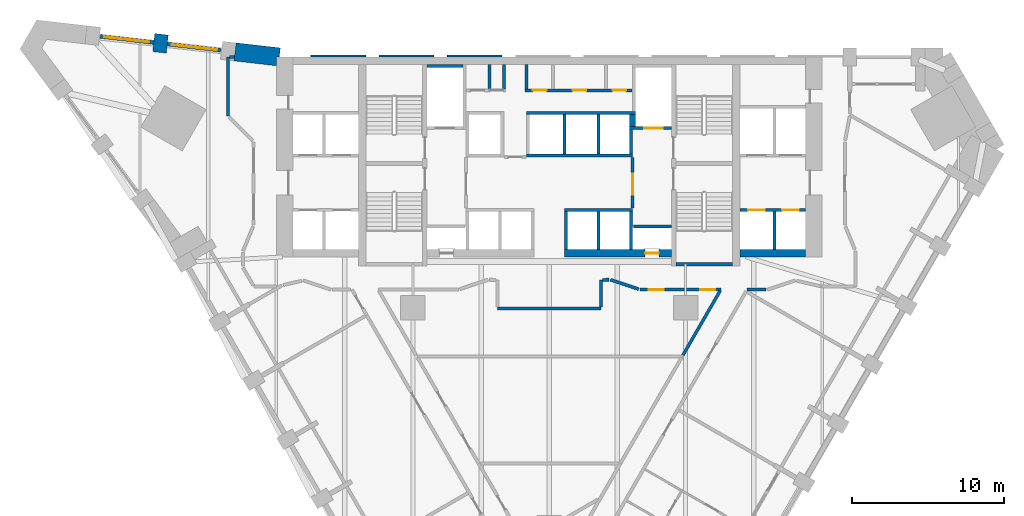
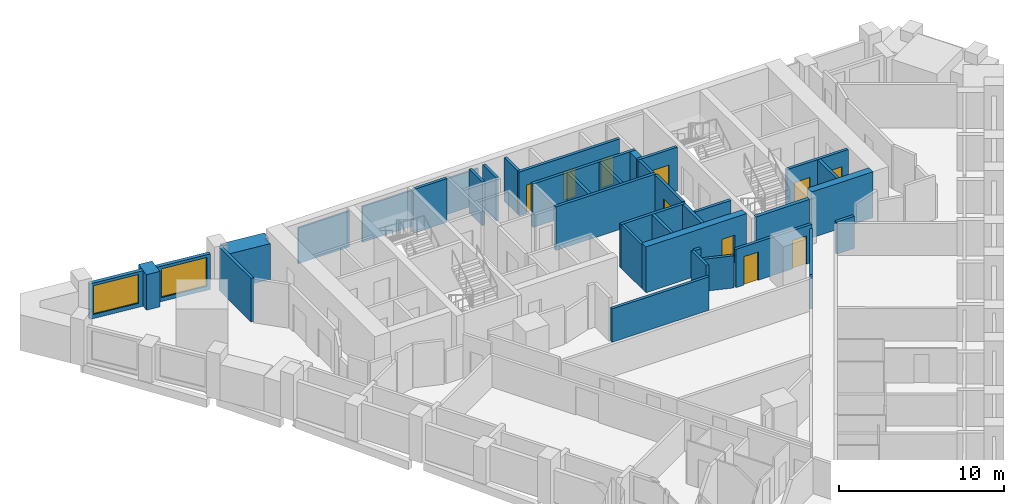
# One storey, part 7 of 10: 39 walls, 10 doors, 2 windows, 12 openings.
"""IFC4 building model written with IfcOpenShell, lengths in metres."""

from ifc_helpers import new_model, si_unit, direction, frame, frame_2d, origin, place, context, subcontext, project, spatial, polyline, rectangle, outline, extrude, material, layer, layer_set, type_object, element, fill, save


model = new_model("IFC4")

# Units and contexts
model_context = context("Model", 3, precision=1e-05, world=origin(), true_north=direction((0.0, 1.0)))
body_context = subcontext(model_context, "Body", "Model", "MODEL_VIEW")
ifc_project = project(units=[si_unit("LENGTHUNIT", "METRE"), si_unit("AREAUNIT", "SQUARE_METRE"), si_unit("VOLUMEUNIT", "CUBIC_METRE"), si_unit("PLANEANGLEUNIT", "RADIAN"), si_unit("MASSUNIT", "GRAM", prefix="KILO")], contexts=[model_context])

# Site, building, storey
site_placement = place(None, origin())
site = spatial("IfcSite", under=ifc_project, at=site_placement, CompositionType="ELEMENT")
building_placement = place(site_placement, origin())
building = spatial("IfcBuilding", under=site, at=building_placement, Name="Calabash Gate Tower", CompositionType="ELEMENT")
storey_placement = place(building_placement, frame((0.0, 0.0, 69.800048828125)))
storey = spatial("IfcBuildingStorey", under=building, at=storey_placement, Name="L13", CompositionType="ELEMENT", Elevation=69.800048828125)

# Walls
ifc_material_1 = material(Name="Terracotta brick masonry, exposed face", Category="masonry")
ifc_layer_1 = layer(ifc_material_1, 1.199951171875)
ifc_layer_set_1 = layer_set([ifc_layer_1], Name="Brick end wall 1200")
wall_type_1 = type_object("IfcWallType", Name="Brick end wall 1200", PredefinedType="SOLIDWALL", material=ifc_layer_set_1)
wall_1_placement = place(storey_placement, frame((-25.712890625, 19.35400390625, 0.0), z_axis=(0.0, 0.0, 1.0), x_axis=(0.113735952551, 0.993511013073, 0.0)))
element("IfcWall", 1, at=wall_1_placement, inside=storey, type_object=wall_type_1, Name="Brick pier S03 wedge5.1", PredefinedType="SOLIDWALL", context=body_context, shape_type="SweptSolid", body=[
    extrude(rectangle(XDim=1.199951171875, YDim=0.89990234375, at=frame_2d((0.60009765625, 0.0))), origin(), (0.0, 0.0, 1.0), 2.6298828125),
])
wall_2_placement = place(storey_placement, origin())
element("IfcWall", 2, at=wall_2_placement, inside=storey, type_object=wall_type_1, Name="Brick end wall S03 1", PredefinedType="SOLIDWALL", context=body_context, shape_type="SweptSolid", body=[
    extrude(outline(polyline([(-20.658447265625, 19.983154296875), (-20.794921875, 18.790771484375), (-18.0, 18.470703125), (-18.0, 19.052490234375), (-17.806640625, 19.052490234375), (-17.738525390625, 19.648681640625), (-20.658447265625, 19.983154296875)])), origin(), (0.0, 0.0, 1.0), 2.64990234375),
])
ifc_material_2 = material(Name="Gypsum board on steel studs, mineral wool", Category="steel")
ifc_layer_2 = layer(ifc_material_2, 0.199951171875)
ifc_layer_set_2 = layer_set([ifc_layer_2], Name="Core partition 200 gypsum board")
wall_type_2 = type_object("IfcWallType", Name="Core partition 200 gypsum board", PredefinedType="PARTITIONING", material=ifc_layer_set_2)
for number, where, z_axis, x_axis, name in (
    (3, (-3.949951171875, 16.95263671875, 0.0), (0.0, 0.0, 1.0), (0.0, 1.0, 0.0), "Core partition"),
    (4, (-3.0, 16.95263671875, 0.0), (0.0, 0.0, 1.0), (0.0, 1.0, 0.0), "Core partition"),
    (5, (-1.5, 16.95263671875, 0.0), (0.0, 0.0, 1.0), (0.0, 1.0, 0.0), "Core partition"),
):
    element("IfcWall", number, at=place(storey_placement, frame(where, z_axis=z_axis, x_axis=x_axis)), inside=storey, type_object=wall_type_2, Name=name, PredefinedType="PARTITIONING", context=body_context, shape_type="SweptSolid", body=[
        extrude(rectangle(XDim=1.599853515625, YDim=0.199951171875, at=frame_2d((0.7998046875, 0.0))), origin(), (0.0, 0.0, 1.0), 3.22998046875),
    ])
ifc_material_3 = material(Name="Concrete C80/95", Category="concrete")
ifc_layer_3 = layer(ifc_material_3, 0.25)
ifc_layer_set_3 = layer_set([ifc_layer_3], Name="Core wall 250 Concrete C80/95")
wall_type_3 = type_object("IfcWallType", Name="Core wall 250 Concrete C80/95", PredefinedType="SHEAR", material=ifc_layer_set_3)
wall_3_placement = place(storey_placement, frame((8.35009765625, 5.377685546875, 0.0), z_axis=(0.0, 0.0, 1.0), x_axis=(1.0, 0.0, 0.0)))
element("IfcWall", 6, at=wall_3_placement, inside=storey, type_object=wall_type_3, Name="Core wall Z1-SSE L13", PredefinedType="SHEAR", context=body_context, shape_type="SweptSolid", body=[
    extrude(rectangle(XDim=3.75, YDim=0.25, at=frame_2d((1.875, 0.0))), origin(), (0.0, 0.0, 1.0), 3.39990234375),
])

# Wall, opening, door
ifc_material_4 = material(Name="Concrete C80/95", Category="concrete")
ifc_layer_4 = layer(ifc_material_4, 0.5)
ifc_layer_set_4 = layer_set([ifc_layer_4], Name="Core wall 500 Concrete C80/95")
wall_type_4 = type_object("IfcWallType", Name="Core wall 500 Concrete C80/95", PredefinedType="SHEAR", material=ifc_layer_set_4)
wall_4_placement = place(storey_placement, frame((1.0, 6.1025390625, 0.0), z_axis=(0.0, 0.0, 1.0), x_axis=(1.0, 0.0, 0.0)))
wall_4 = element("IfcWall", 7, at=wall_4_placement, inside=storey, type_object=wall_type_4, Name="Core wall Z1-SB L13", PredefinedType="SHEAR", context=body_context, shape_type="SweptSolid", body=[
    extrude(rectangle(XDim=7.050048828125, YDim=0.5, at=frame_2d((3.52490234375, 0.0))), origin(), (0.0, 0.0, 1.0), 3.39990234375),
])
opening_1_placement = place(wall_4_placement, frame((5.324951171875, 0.0, 0.0)))
opening_1 = element("IfcOpeningElement", 8, at=opening_1_placement, cuts=wall_4, Name="Opening H3-013", PredefinedType="OPENING", context=body_context, shape_type="SweptSolid", body=[
    extrude(rectangle(XDim=0.89990234375, YDim=2.10009765625, at=frame_2d((0.449951171875, 1.050048828125))), frame((0.0, 0.260009765625, 0.0), z_axis=(0.0, -1.0, 0.0), x_axis=(1.0, 0.0, 0.0)), (0.0, 0.0, 1.0), 0.52001953125),
])
ifc_material_5 = material(Name="Steel fire door set with fire-resisting glazing", Category="steel")
door_type_1 = type_object("IfcDoorType", Name="Fire door D07 900x2100 FD90", OperationType="NOTDEFINED", PredefinedType="DOOR", material=ifc_material_5)
door_1_placement = place(opening_1_placement, origin())
door_1 = element("IfcDoor", 9, at=door_1_placement, inside=storey, type_object=door_type_1, Name="Mechanical Riser E door", OperationType="SINGLE_SWING_RIGHT", OverallHeight=2.10009765625, OverallWidth=0.89990234375, PredefinedType="DOOR", context=body_context, shape_type="SweptSolid", body=[
    extrude(rectangle(XDim=0.89990234375, YDim=2.10009765625, at=frame_2d((0.449951171875, 1.050048828125))), frame((0.0, 0.02490234375, 0.0), z_axis=(0.0, -1.0, 0.0), x_axis=(1.0, 0.0, 0.0)), (0.0, 0.0, 1.0), 0.050048828125),
])
fill(opening_1, door_1)

# Walls
wall_5_placement = place(storey_placement, frame((12.60009765625, 6.1025390625, 0.0), z_axis=(0.0, 0.0, 1.0), x_axis=(1.0, 0.0, 0.0)))
element("IfcWall", 10, at=wall_5_placement, inside=storey, type_object=wall_type_4, Name="Core wall Z1-SE L13", PredefinedType="SHEAR", context=body_context, shape_type="SweptSolid", body=[
    extrude(rectangle(XDim=4.2998046875, YDim=0.5, at=frame_2d((2.14990234375, 0.0))), origin(), (0.0, 0.0, 1.0), 3.39990234375),
])
ifc_material_6 = material(Name="Gypsum board on steel studs, mineral wool", Category="steel")
ifc_layer_5 = layer(ifc_material_6, 0.199951171875)
ifc_layer_set_5 = layer_set([ifc_layer_5], Name="Partition 200 gypsum board EI 60")
wall_type_5 = type_object("IfcWallType", Name="Partition 200 gypsum board EI 60", PredefinedType="PARTITIONING", material=ifc_layer_set_5)
wall_6_placement = place(storey_placement, frame((8.824462890625, -0.616943359375, 0.0), z_axis=(0.0, 0.0, 1.0), x_axis=(0.500271769931, 0.865868440475, 0.0)))
element("IfcWall", 11, at=wall_6_placement, inside=storey, type_object=wall_type_5, Name="Partition", PredefinedType="PARTITIONING", context=body_context, shape_type="SweptSolid", body=[
    extrude(rectangle(XDim=4.885498046875, YDim=0.199951171875, at=frame_2d((2.44287109375, 0.0))), origin(), (0.0, 0.0, 1.0), 2.5517578125),
])
wall_7_placement = place(storey_placement, frame((-3.400146484375, 2.452392578125, 0.0), z_axis=(0.0, 0.0, 1.0), x_axis=(1.0, 0.0, 0.0)))
element("IfcWall", 12, at=wall_7_placement, inside=storey, type_object=wall_type_5, Name="Partition", PredefinedType="PARTITIONING", context=body_context, shape_type="SweptSolid", body=[
    extrude(rectangle(XDim=6.800048828125, YDim=0.199951171875, at=frame_2d((3.39990234375, 0.0))), origin(), (0.0, 0.0, 1.0), 2.473388671875),
])

# Wall, openings, doors
wall_8_placement = place(storey_placement, frame((6.0, 3.69970703125, 0.0), z_axis=(0.0, 0.0, 1.0), x_axis=(1.0, 0.0, 0.0)))
wall_8 = element("IfcWall", 13, at=wall_8_placement, inside=storey, type_object=wall_type_5, Name="Partition", PredefinedType="PARTITIONING", context=body_context, shape_type="SweptSolid", body=[
    extrude(rectangle(XDim=5.318603515625, YDim=0.199951171875, at=frame_2d((2.6591796875, 0.0))), origin(), (0.0, 0.0, 1.0), 2.83154296875),
])
opening_2_placement = place(wall_8_placement, frame((0.563720703125, 0.0, 0.0)))
opening_2 = element("IfcOpeningElement", 14, at=opening_2_placement, cuts=wall_8, Name="Opening 12-14-010", PredefinedType="OPENING", context=body_context, shape_type="SweptSolid", body=[
    extrude(rectangle(XDim=1.0, YDim=2.10009765625, at=frame_2d((0.5, 1.050048828125))), frame((0.0, 0.10986328125, 0.0), z_axis=(0.0, -1.0, 0.0), x_axis=(1.0, 0.0, 0.0)), (0.0, 0.0, 1.0), 0.219970703125),
])
opening_3_placement = place(wall_8_placement, frame((3.949951171875, 0.0, 0.0)))
opening_3 = element("IfcOpeningElement", 15, at=opening_3_placement, cuts=wall_8, Name="Opening 12-14-025", PredefinedType="OPENING", context=body_context, shape_type="SweptSolid", body=[
    extrude(rectangle(XDim=1.0, YDim=2.10009765625, at=frame_2d((0.5, 1.050048828125))), frame((0.0, 0.10986328125, 0.0), z_axis=(0.0, -1.0, 0.0), x_axis=(1.0, 0.0, 0.0)), (0.0, 0.0, 1.0), 0.219970703125),
])
ifc_material_7 = material(Name="Steel fire door set with fire-resisting glazing", Category="steel")
door_type_2 = type_object("IfcDoorType", Name="LD2 Meeting room door 1000x2100", OperationType="NOTDEFINED", PredefinedType="DOOR", material=ifc_material_7)
door_2_placement = place(opening_2_placement, origin())
door_2 = element("IfcDoor", 16, at=door_2_placement, inside=storey, type_object=door_type_2, Name="Meeting room door", OperationType="SINGLE_SWING_RIGHT", OverallHeight=2.10009765625, OverallWidth=1.0, PredefinedType="DOOR", context=body_context, shape_type="SweptSolid", body=[
    extrude(rectangle(XDim=1.0, YDim=2.10009765625, at=frame_2d((0.5, 1.050048828125))), frame((0.0, 0.02490234375, 0.0), z_axis=(0.0, -1.0, 0.0), x_axis=(1.0, 0.0, 0.0)), (0.0, 0.0, 1.0), 0.050048828125),
])
fill(opening_2, door_2)
door_3_placement = place(opening_3_placement, origin())
door_3 = element("IfcDoor", 17, at=door_3_placement, inside=storey, type_object=door_type_2, Name="Meeting room door", OperationType="SINGLE_SWING_LEFT", OverallHeight=2.10009765625, OverallWidth=1.0, PredefinedType="DOOR", context=body_context, shape_type="SweptSolid", body=[
    extrude(rectangle(XDim=1.0, YDim=2.10009765625, at=frame_2d((0.5, 1.050048828125))), frame((0.0, 0.02490234375, 0.0), z_axis=(0.0, -1.0, 0.0), x_axis=(1.0, 0.0, 0.0)), (0.0, 0.0, 1.0), 0.050048828125),
])
fill(opening_3, door_3)

# Walls
wall_9_placement = place(storey_placement, frame((13.051513671875, 3.699462890625, 0.0), z_axis=(0.0, 0.0, 1.0), x_axis=(1.0, 0.0, 0.0)))
element("IfcWall", 18, at=wall_9_placement, inside=storey, type_object=wall_type_5, Name="Partition", PredefinedType="PARTITIONING", context=body_context, shape_type="SweptSolid", body=[
    extrude(rectangle(XDim=1.24853515625, YDim=0.199951171875, at=frame_2d((0.624267578125, 0.0))), origin(), (0.0, 0.0, 1.0), 2.384033203125),
])
wall_10_placement = place(storey_placement, frame((4.042236328125, 4.352294921875, 0.0), z_axis=(0.0, 0.0, 1.0), x_axis=(0.948695731075, -0.316190464499, 0.0)))
element("IfcWall", 19, at=wall_10_placement, inside=storey, type_object=wall_type_5, Name="Partition", PredefinedType="PARTITIONING", context=body_context, shape_type="SweptSolid", body=[
    extrude(rectangle(XDim=1.963623046875, YDim=0.199951171875, at=frame_2d((0.98193359375, 0.0))), origin(), (0.0, 0.0, 1.0), 2.384033203125),
])
wall_11_placement = place(storey_placement, frame((3.400146484375, 2.552490234375, 0.0), z_axis=(0.0, 0.0, 1.0), x_axis=(0.001086217961, 0.999999410065, 0.0)))
element("IfcWall", 20, at=wall_11_placement, inside=storey, type_object=wall_type_5, Name="Partition", PredefinedType="PARTITIONING", context=body_context, shape_type="SweptSolid", body=[
    extrude(rectangle(XDim=1.798095703125, YDim=0.199951171875, at=frame_2d((0.89892578125, 0.0))), origin(), (0.0, 0.0, 1.0), 3.22998046875),
])
wall_12_placement = place(storey_placement, frame((3.501953125, 4.350830078125, 0.0), z_axis=(0.0, 0.0, 1.0), x_axis=(0.999996159087, 0.00277160798, 0.0)))
element("IfcWall", 21, at=wall_12_placement, inside=storey, type_object=wall_type_5, Name="Partition", PredefinedType="PARTITIONING", context=body_context, shape_type="SweptSolid", body=[
    extrude(rectangle(XDim=0.4404296875, YDim=0.199951171875, at=frame_2d((0.22021484375, 0.0))), origin(), (0.0, 0.0, 1.0), 3.22998046875),
])
wall_13_placement = place(storey_placement, frame((-21.185791015625, 15.152587890625, 0.0), z_axis=(0.0, 0.0, 1.0), x_axis=(6.2601728e-05, 0.999999998041, 0.0)))
element("IfcWall", 22, at=wall_13_placement, inside=storey, type_object=wall_type_5, Name="Partition", PredefinedType="PARTITIONING", context=body_context, shape_type="SweptSolid", body=[
    extrude(rectangle(XDim=3.89990234375, YDim=0.199951171875, at=frame_2d((1.949951171875, 0.0))), origin(), (0.0, 0.0, 1.0), 3.22998046875),
])
wall_14_placement = place(storey_placement, frame((-21.08544921875, 19.052490234375, 0.0), z_axis=(0.0, 0.0, 1.0), x_axis=(0.999999709972, 0.000761614402, 0.0)))
element("IfcWall", 23, at=wall_14_placement, inside=storey, type_object=wall_type_5, Name="Partition", PredefinedType="PARTITIONING", context=body_context, shape_type="SweptSolid", body=[
    extrude(rectangle(XDim=0.320556640625, YDim=0.199951171875, at=frame_2d((0.16015625, 0.0))), origin(), (0.0, 0.0, 1.0), 3.22998046875),
])

# Wall, opening, window
ifc_material_8 = material(Name="Aluminium framed window wall with insulated spandrel", Category="aluminium")
ifc_layer_6 = layer(ifc_material_8, 0.25)
ifc_layer_set_6 = layer_set([ifc_layer_6], Name="Prow window wall 250")
wall_type_6 = type_object("IfcWallType", Name="Prow window wall 250", PredefinedType="ELEMENTEDWALL", material=ifc_layer_set_6)
wall_15_placement = place(storey_placement, frame((-21.670654296875, 19.4951171875, 0.0), z_axis=(0.0, 0.0, 1.0), x_axis=(-0.993508501237, 0.113757891902, 0.0)))
wall_15 = element("IfcWall", 24, at=wall_15_placement, inside=storey, type_object=wall_type_6, Name="Prow window wall S03 wedge5.1", PredefinedType="ELEMENTEDWALL", context=body_context, shape_type="SweptSolid", body=[
    extrude(rectangle(XDim=3.5517578125, YDim=0.25, at=frame_2d((1.77587890625, 0.0))), origin(), (0.0, 0.0, 1.0), 2.6298828125),
])
opening_4_placement = place(wall_15_placement, frame((0.25, 0.0, 0.300048828125)))
opening_4 = element("IfcOpeningElement", 25, at=opening_4_placement, cuts=wall_15, Name="Opening WP1L-2130", PredefinedType="OPENING", context=body_context, shape_type="SweptSolid", body=[
    extrude(rectangle(XDim=3.0, YDim=2.1298828125, at=frame_2d((1.5, 1.06494140625))), frame((0.0, 0.135009765625, 0.0), z_axis=(0.0, -1.0, 0.0), x_axis=(1.0, 0.0, 0.0)), (0.0, 0.0, 1.0), 0.27001953125),
])
ifc_material_9 = material(Name="Anodised aluminium frame, bronze finish, impact-rated laminated clear glazing", Category="aluminium")
window_type = type_object("IfcWindowType", Name="Window WP1L 3000x2130", PartitioningType="DOUBLE_PANEL_VERTICAL", PredefinedType="WINDOW", material=ifc_material_9)
window_1_placement = place(opening_4_placement, origin())
window_1 = element("IfcWindow", 26, at=window_1_placement, inside=storey, type_object=window_type, Name="Prow window WP1L S03 wedge5.1", OverallHeight=2.1298828125, OverallWidth=3.0, PartitioningType="SINGLE_PANEL", PredefinedType="WINDOW", context=body_context, shape_type="SweptSolid", body=[
    extrude(rectangle(XDim=3.0, YDim=2.1298828125, at=frame_2d((1.5, 1.06494140625))), frame((0.0, 0.030029296875, 0.0), z_axis=(0.0, -1.0, 0.0), x_axis=(1.0, 0.0, 0.0)), (0.0, 0.0, 1.0), 0.06005859375),
])
fill(opening_4, window_1)

wall_16_placement = place(storey_placement, frame((-26.089599609375, 20.001220703125, 0.0), z_axis=(0.0, 0.0, 1.0), x_axis=(-0.993509390647, 0.113750123938, 0.0)))
wall_16 = element("IfcWall", 27, at=wall_16_placement, inside=storey, type_object=wall_type_6, Name="Prow window wall S03 wedge5.2", PredefinedType="ELEMENTEDWALL", context=body_context, shape_type="SweptSolid", body=[
    extrude(rectangle(XDim=3.552001953125, YDim=0.25, at=frame_2d((1.77587890625, 0.0))), origin(), (0.0, 0.0, 1.0), 2.6298828125),
])
opening_5_placement = place(wall_16_placement, frame((0.302001953125, 0.0, 0.300048828125)))
opening_5 = element("IfcOpeningElement", 28, at=opening_5_placement, cuts=wall_16, Name="Opening WP1L-2130", PredefinedType="OPENING", context=body_context, shape_type="SweptSolid", body=[
    extrude(rectangle(XDim=3.0, YDim=2.1298828125, at=frame_2d((1.5, 1.06494140625))), frame((0.0, 0.135009765625, 0.0), z_axis=(0.0, -1.0, 0.0), x_axis=(1.0, 0.0, 0.0)), (0.0, 0.0, 1.0), 0.27001953125),
])
window_2_placement = place(opening_5_placement, origin())
window_2 = element("IfcWindow", 29, at=window_2_placement, inside=storey, type_object=window_type, Name="Prow window WP1L S03 wedge5.2", OverallHeight=2.1298828125, OverallWidth=3.0, PartitioningType="SINGLE_PANEL", PredefinedType="WINDOW", context=body_context, shape_type="SweptSolid", body=[
    extrude(rectangle(XDim=3.0, YDim=2.1298828125, at=frame_2d((1.5, 1.06494140625))), frame((0.0, 0.030029296875, 0.0), z_axis=(0.0, -1.0, 0.0), x_axis=(1.0, 0.0, 0.0)), (0.0, 0.0, 1.0), 0.06005859375),
])
fill(opening_5, window_2)

# Walls
ifc_material_10 = material(Name="Concrete C40/50", Category="concrete")
ifc_layer_7 = layer(ifc_material_10, 0.199951171875)
ifc_layer_set_7 = layer_set([ifc_layer_7], Name="Shaft wall 200 Concrete C40/50")
wall_type_7 = type_object("IfcWallType", Name="Shaft wall 200 Concrete C40/50", PredefinedType="SOLIDWALL", material=ifc_layer_set_7)
for number, where, z_axis, x_axis, name in (
    (30, (1.10009765625, 6.3525390625, 0.0), (0.0, 0.0, 1.0), (0.0, 1.0, 0.0), "Shaft wall"),
    (31, (3.25, 6.3525390625, 0.0), (0.0, 0.0, 1.0), (0.0, 1.0, 0.0), "Shaft wall"),
    (32, (5.39990234375, 6.3525390625, 0.0), (0.0, 0.0, 1.0), (0.0, 1.0, 0.0), "Shaft wall"),
    (33, (14.85009765625, 6.3525390625, 0.0), (0.0, 0.0, 1.0), (0.0, 1.0, 0.0), "Shaft wall"),
    (34, (5.550048828125, 7.8525390625, 0.0), (0.0, 0.0, 1.0), (1.0, 0.0, 0.0), "Shaft wall"),
):
    element("IfcWall", number, at=place(storey_placement, frame(where, z_axis=z_axis, x_axis=x_axis)), inside=storey, type_object=wall_type_7, Name=name, PredefinedType="SOLIDWALL", context=body_context, shape_type="SweptSolid", body=[
        extrude(rectangle(XDim=2.5, YDim=0.199951171875, at=frame_2d((1.25, 0.0))), origin(), (0.0, 0.0, 1.0), 3.22998046875),
    ])
wall_17_placement = place(storey_placement, frame((1.0, 8.95263671875, 0.0), z_axis=(0.0, 0.0, 1.0), x_axis=(1.0, 0.0, 0.0)))
element("IfcWall", 35, at=wall_17_placement, inside=storey, type_object=wall_type_7, Name="Shaft wall", PredefinedType="SOLIDWALL", context=body_context, shape_type="SweptSolid", body=[
    extrude(rectangle(XDim=4.5, YDim=0.199951171875, at=frame_2d((2.25, 0.0))), origin(), (0.0, 0.0, 1.0), 3.22998046875),
])

# Wall, openings, doors
wall_18_placement = place(storey_placement, frame((12.60009765625, 8.95263671875, 0.0), z_axis=(0.0, 0.0, 1.0), x_axis=(1.0, 0.0, 0.0)))
wall_18 = element("IfcWall", 36, at=wall_18_placement, inside=storey, type_object=wall_type_7, Name="Shaft wall", PredefinedType="SOLIDWALL", context=body_context, shape_type="SweptSolid", body=[
    extrude(rectangle(XDim=4.2998046875, YDim=0.199951171875, at=frame_2d((2.14990234375, 0.0))), origin(), (0.0, 0.0, 1.0), 3.22998046875),
])
opening_6_placement = place(wall_18_placement, frame((0.52490234375, 0.0, 0.0)))
opening_6 = element("IfcOpeningElement", 37, at=opening_6_placement, cuts=wall_18, Name="Opening LD-LR5", PredefinedType="OPENING", context=body_context, shape_type="SweptSolid", body=[
    extrude(rectangle(XDim=1.10009765625, YDim=2.10009765625, at=frame_2d((0.550048828125, 1.050048828125))), frame((0.0, 0.10986328125, 0.0), z_axis=(0.0, -1.0, 0.0), x_axis=(1.0, 0.0, 0.0)), (0.0, 0.0, 1.0), 0.219970703125),
])
opening_7_placement = place(wall_18_placement, frame((2.77490234375, 0.0, 0.0)))
opening_7 = element("IfcOpeningElement", 38, at=opening_7_placement, cuts=wall_18, Name="Opening LD-LR6", PredefinedType="OPENING", context=body_context, shape_type="SweptSolid", body=[
    extrude(rectangle(XDim=1.10009765625, YDim=2.10009765625, at=frame_2d((0.550048828125, 1.050048828125))), frame((0.0, 0.10986328125, 0.0), z_axis=(0.0, -1.0, 0.0), x_axis=(1.0, 0.0, 0.0)), (0.0, 0.0, 1.0), 0.219970703125),
])
ifc_material_11 = material(Name="Stainless steel sliding door leaves", Category="steel")
door_type_3 = type_object("IfcDoorType", Name="Lift landing door LS1 1100x2100 FD90", OperationType="DOUBLE_DOOR_SLIDING", PredefinedType="DOOR", material=ifc_material_11)
door_4_placement = place(opening_6_placement, origin())
door_4 = element("IfcDoor", 39, at=door_4_placement, inside=storey, type_object=door_type_3, Name="Lift landing door LR5", OperationType="DOUBLE_DOOR_SLIDING", OverallHeight=2.10009765625, OverallWidth=1.10009765625, PredefinedType="DOOR", context=body_context, shape_type="SweptSolid", body=[
    extrude(rectangle(XDim=1.10009765625, YDim=2.10009765625, at=frame_2d((0.550048828125, 1.050048828125))), frame((0.0, 0.02490234375, 0.0), z_axis=(0.0, -1.0, 0.0), x_axis=(1.0, 0.0, 0.0)), (0.0, 0.0, 1.0), 0.050048828125),
])
fill(opening_6, door_4)
door_5_placement = place(opening_7_placement, origin())
door_5 = element("IfcDoor", 40, at=door_5_placement, inside=storey, type_object=door_type_3, Name="Lift landing door LR6", OperationType="DOUBLE_DOOR_SLIDING", OverallHeight=2.10009765625, OverallWidth=1.10009765625, PredefinedType="DOOR", context=body_context, shape_type="SweptSolid", body=[
    extrude(rectangle(XDim=1.10009765625, YDim=2.10009765625, at=frame_2d((0.550048828125, 1.050048828125))), frame((0.0, 0.02490234375, 0.0), z_axis=(0.0, -1.0, 0.0), x_axis=(1.0, 0.0, 0.0)), (0.0, 0.0, 1.0), 0.050048828125),
])
fill(opening_7, door_5)

# Wall, opening, door
wall_19_placement = place(storey_placement, frame((5.5, 9.1025390625, 0.0), z_axis=(0.0, 0.0, 1.0), x_axis=(0.0, 1.0, 0.0)))
wall_19 = element("IfcWall", 41, at=wall_19_placement, inside=storey, type_object=wall_type_7, Name="Shaft wall", PredefinedType="SOLIDWALL", context=body_context, shape_type="SweptSolid", body=[
    extrude(rectangle(XDim=3.300048828125, YDim=0.199951171875, at=frame_2d((1.64990234375, 0.0))), origin(), (0.0, 0.0, 1.0), 3.22998046875),
])
opening_8_placement = place(wall_19_placement, frame((0.85009765625, 0.0, 0.0)))
opening_8 = element("IfcOpeningElement", 42, at=opening_8_placement, cuts=wall_19, Name="Opening H3-006", PredefinedType="OPENING", context=body_context, shape_type="SweptSolid", body=[
    extrude(rectangle(XDim=1.39990234375, YDim=2.10009765625, at=frame_2d((0.699951171875, 1.050048828125))), frame((0.0, 0.10986328125, 0.0), z_axis=(0.0, -1.0, 0.0), x_axis=(1.0, 0.0, 0.0)), (0.0, 0.0, 1.0), 0.219970703125),
])
ifc_material_12 = material(Name="Steel fire door set with fire-resisting glazing", Category="steel")
door_type_4 = type_object("IfcDoorType", Name="Fire door D05 1400x2100 FD90", OperationType="NOTDEFINED", PredefinedType="DOOR", material=ifc_material_12)
door_6_placement = place(opening_8_placement, origin())
door_6 = element("IfcDoor", 43, at=door_6_placement, inside=storey, type_object=door_type_4, Name="Firefighting Lobby E door", OperationType="SINGLE_SWING_LEFT", OverallHeight=2.10009765625, OverallWidth=1.39990234375, PredefinedType="DOOR", context=body_context, shape_type="SweptSolid", body=[
    extrude(rectangle(XDim=1.39990234375, YDim=2.10009765625, at=frame_2d((0.699951171875, 1.050048828125))), frame((0.0, 0.02490234375, 0.0), z_axis=(0.0, -1.0, 0.0), x_axis=(1.0, 0.0, 0.0)), (0.0, 0.0, 1.0), 0.050048828125),
])
fill(opening_8, door_6)

# Walls
wall_20_placement = place(storey_placement, frame((-1.5, 12.552490234375, 0.0), z_axis=(0.0, 0.0, 1.0), x_axis=(1.0, 0.0, 0.0)))
element("IfcWall", 44, at=wall_20_placement, inside=storey, type_object=wall_type_7, Name="Shaft wall", PredefinedType="SOLIDWALL", context=body_context, shape_type="SweptSolid", body=[
    extrude(rectangle(XDim=7.0, YDim=0.199951171875, at=frame_2d((3.5, 0.0))), origin(), (0.0, 0.0, 1.0), 3.22998046875),
])
for number, where, z_axis, x_axis, name in (
    (45, (1.0, 12.652587890625, 0.0), (0.0, 0.0, 1.0), (0.0, 1.0, 0.0), "Shaft wall"),
    (46, (3.25, 12.652587890625, 0.0), (0.0, 0.0, 1.0), (0.0, 1.0, 0.0), "Shaft wall"),
):
    element("IfcWall", number, at=place(storey_placement, frame(where, z_axis=z_axis, x_axis=x_axis)), inside=storey, type_object=wall_type_7, Name=name, PredefinedType="SOLIDWALL", context=body_context, shape_type="SweptSolid", body=[
        extrude(rectangle(XDim=2.60009765625, YDim=0.199951171875, at=frame_2d((1.300048828125, 0.0))), origin(), (0.0, 0.0, 1.0), 3.22998046875),
    ])
wall_21_placement = place(storey_placement, frame((5.39990234375, 12.652587890625, 0.0), z_axis=(0.0, 0.0, 1.0), x_axis=(0.0, 1.0, 0.0)))
element("IfcWall", 47, at=wall_21_placement, inside=storey, type_object=wall_type_7, Name="Shaft wall", PredefinedType="SOLIDWALL", context=body_context, shape_type="SweptSolid", body=[
    extrude(rectangle(XDim=1.60009765625, YDim=0.199951171875, at=frame_2d((0.800048828125, 0.0))), origin(), (0.0, 0.0, 1.0), 3.22998046875),
])

# Wall, opening, door
wall_22_placement = place(storey_placement, frame((5.300048828125, 14.3525390625, 0.0), z_axis=(0.0, 0.0, 1.0), x_axis=(1.0, 0.0, 0.0)))
wall_22 = element("IfcWall", 48, at=wall_22_placement, inside=storey, type_object=wall_type_7, Name="Shaft wall", PredefinedType="SOLIDWALL", context=body_context, shape_type="SweptSolid", body=[
    extrude(rectangle(XDim=2.75, YDim=0.199951171875, at=frame_2d((1.375, 0.0))), origin(), (0.0, 0.0, 1.0), 3.22998046875),
])
opening_9_placement = place(wall_22_placement, frame((0.97509765625, 0.0, 0.0)))
opening_9 = element("IfcOpeningElement", 49, at=opening_9_placement, cuts=wall_22, Name="Opening LD-FF2", PredefinedType="OPENING", context=body_context, shape_type="SweptSolid", body=[
    extrude(rectangle(XDim=1.199951171875, YDim=2.10009765625, at=frame_2d((0.60009765625, 1.050048828125))), frame((0.0, 0.10986328125, 0.0), z_axis=(0.0, -1.0, 0.0), x_axis=(1.0, 0.0, 0.0)), (0.0, 0.0, 1.0), 0.219970703125),
])
ifc_material_13 = material(Name="Stainless steel sliding door leaves", Category="steel")
door_type_5 = type_object("IfcDoorType", Name="Lift landing door LS3 1200x2100 FD90", OperationType="DOUBLE_DOOR_SLIDING", PredefinedType="DOOR", material=ifc_material_13)
door_7_placement = place(opening_9_placement, origin())
door_7 = element("IfcDoor", 50, at=door_7_placement, inside=storey, type_object=door_type_5, Name="Lift landing door FF2", OperationType="DOUBLE_DOOR_SLIDING", OverallHeight=2.10009765625, OverallWidth=1.199951171875, PredefinedType="DOOR", context=body_context, shape_type="SweptSolid", body=[
    extrude(rectangle(XDim=1.199951171875, YDim=2.10009765625, at=frame_2d((0.60009765625, 1.050048828125))), frame((0.0, 0.02490234375, 0.0), z_axis=(0.0, -1.0, 0.0), x_axis=(1.0, 0.0, 0.0)), (0.0, 0.0, 1.0), 0.050048828125),
])
fill(opening_9, door_7)

# Walls
wall_23_placement = place(storey_placement, frame((5.5, 14.45263671875, 0.0), z_axis=(0.0, 0.0, 1.0), x_axis=(0.0, 1.0, 0.0)))
element("IfcWall", 51, at=wall_23_placement, inside=storey, type_object=wall_type_7, Name="Shaft wall", PredefinedType="SOLIDWALL", context=body_context, shape_type="SweptSolid", body=[
    extrude(rectangle(XDim=0.800048828125, YDim=0.39990234375, at=frame_2d((0.39990234375, 0.0))), origin(), (0.0, 0.0, 1.0), 3.22998046875),
])
wall_24_placement = place(storey_placement, frame((-1.5, 15.3525390625, 0.0), z_axis=(0.0, 0.0, 1.0), x_axis=(1.0, 0.0, 0.0)))
element("IfcWall", 52, at=wall_24_placement, inside=storey, type_object=wall_type_7, Name="Shaft wall", PredefinedType="SOLIDWALL", context=body_context, shape_type="SweptSolid", body=[
    extrude(rectangle(XDim=7.199951171875, YDim=0.199951171875, at=frame_2d((3.60009765625, 0.0))), origin(), (0.0, 0.0, 1.0), 3.22998046875),
])

# Wall, openings, doors
wall_25_placement = place(storey_placement, frame((-1.60009765625, 16.8525390625, 0.0), z_axis=(0.0, 0.0, 1.0), x_axis=(1.0, 0.0, 0.0)))
wall_25 = element("IfcWall", 53, at=wall_25_placement, inside=storey, type_object=wall_type_7, Name="Shaft wall", PredefinedType="SOLIDWALL", context=body_context, shape_type="SweptSolid", body=[
    extrude(rectangle(XDim=7.050048828125, YDim=0.199951171875, at=frame_2d((3.52490234375, 0.0))), origin(), (0.0, 0.0, 1.0), 3.22998046875),
])
opening_10_placement = place(wall_25_placement, frame((0.52490234375, 0.0, 0.0)))
opening_10 = element("IfcOpeningElement", 54, at=opening_10_placement, cuts=wall_25, Name="Opening H3-010", PredefinedType="OPENING", context=body_context, shape_type="SweptSolid", body=[
    extrude(rectangle(XDim=0.89990234375, YDim=2.10009765625, at=frame_2d((0.449951171875, 1.050048828125))), frame((0.0, 0.10986328125, 0.0), z_axis=(0.0, -1.0, 0.0), x_axis=(1.0, 0.0, 0.0)), (0.0, 0.0, 1.0), 0.219970703125),
])
opening_11_placement = place(wall_25_placement, frame((3.14990234375, 0.0, 0.0)))
opening_11 = element("IfcOpeningElement", 55, at=opening_11_placement, cuts=wall_25, Name="Opening H3-011", PredefinedType="OPENING", context=body_context, shape_type="SweptSolid", body=[
    extrude(rectangle(XDim=0.89990234375, YDim=2.10009765625, at=frame_2d((0.449951171875, 1.050048828125))), frame((0.0, 0.10986328125, 0.0), z_axis=(0.0, -1.0, 0.0), x_axis=(1.0, 0.0, 0.0)), (0.0, 0.0, 1.0), 0.219970703125),
])
opening_12_placement = place(wall_25_placement, frame((5.77490234375, 0.0, 0.0)))
opening_12 = element("IfcOpeningElement", 56, at=opening_12_placement, cuts=wall_25, Name="Opening H3-012", PredefinedType="OPENING", context=body_context, shape_type="SweptSolid", body=[
    extrude(rectangle(XDim=0.89990234375, YDim=2.10009765625, at=frame_2d((0.449951171875, 1.050048828125))), frame((0.0, 0.10986328125, 0.0), z_axis=(0.0, -1.0, 0.0), x_axis=(1.0, 0.0, 0.0)), (0.0, 0.0, 1.0), 0.219970703125),
])
ifc_material_14 = material(Name="Steel fire door set with fire-resisting glazing", Category="steel")
door_type_6 = type_object("IfcDoorType", Name="Fire door D06 900x2100 FD60", OperationType="NOTDEFINED", PredefinedType="DOOR", material=ifc_material_14)
door_8_placement = place(opening_10_placement, origin())
door_8 = element("IfcDoor", 57, at=door_8_placement, inside=storey, type_object=door_type_6, Name="Hotel Pantry door", OperationType="SINGLE_SWING_LEFT", OverallHeight=2.10009765625, OverallWidth=0.89990234375, PredefinedType="DOOR", context=body_context, shape_type="SweptSolid", body=[
    extrude(rectangle(XDim=0.89990234375, YDim=2.10009765625, at=frame_2d((0.449951171875, 1.050048828125))), frame((0.0, 0.02490234375, 0.0), z_axis=(0.0, -1.0, 0.0), x_axis=(1.0, 0.0, 0.0)), (0.0, 0.0, 1.0), 0.050048828125),
])
fill(opening_10, door_8)
door_9_placement = place(opening_11_placement, origin())
door_9 = element("IfcDoor", 58, at=door_9_placement, inside=storey, type_object=door_type_6, Name="Luggage Store door", OperationType="SINGLE_SWING_LEFT", OverallHeight=2.10009765625, OverallWidth=0.89990234375, PredefinedType="DOOR", context=body_context, shape_type="SweptSolid", body=[
    extrude(rectangle(XDim=0.89990234375, YDim=2.10009765625, at=frame_2d((0.449951171875, 1.050048828125))), frame((0.0, 0.02490234375, 0.0), z_axis=(0.0, -1.0, 0.0), x_axis=(1.0, 0.0, 0.0)), (0.0, 0.0, 1.0), 0.050048828125),
])
fill(opening_11, door_9)
door_10_placement = place(opening_12_placement, origin())
door_10 = element("IfcDoor", 59, at=door_10_placement, inside=storey, type_object=door_type_6, Name="Comms Room door", OperationType="SINGLE_SWING_RIGHT", OverallHeight=2.10009765625, OverallWidth=0.89990234375, PredefinedType="DOOR", context=body_context, shape_type="SweptSolid", body=[
    extrude(rectangle(XDim=0.89990234375, YDim=2.10009765625, at=frame_2d((0.449951171875, 1.050048828125))), frame((0.0, 0.02490234375, 0.0), z_axis=(0.0, -1.0, 0.0), x_axis=(1.0, 0.0, 0.0)), (0.0, 0.0, 1.0), 0.050048828125),
])
fill(opening_12, door_10)

# Walls
wall_26_placement = place(storey_placement, frame((-8.050048828125, 18.45263671875, 0.0), z_axis=(0.0, 0.0, 1.0), x_axis=(1.0, 0.0, 0.0)))
element("IfcWall", 60, at=wall_26_placement, inside=storey, type_object=wall_type_7, Name="Shaft wall", PredefinedType="SOLIDWALL", context=body_context, shape_type="SweptSolid", body=[
    extrude(rectangle(XDim=2.35009765625, YDim=0.199951171875, at=frame_2d((1.175048828125, 0.0))), origin(), (0.0, 0.0, 1.0), 3.22998046875),
])
ifc_material_15 = material(Name="Terracotta brick masonry, perforated", Category="masonry")
ifc_layer_8 = layer(ifc_material_15, 0.1201171875)
ifc_layer_set_8 = layer_set([ifc_layer_8], Name="Terracotta jaali cladding A 120")
wall_type_8 = type_object("IfcWallType", Name="Terracotta jaali cladding A 120", PredefinedType="SOLIDWALL", material=ifc_layer_set_8)
wall_27_placement = place(storey_placement, origin())
element("IfcWall", 61, at=wall_27_placement, inside=storey, type_object=wall_type_8, Name="Jaali cladding S03 N4.7", PredefinedType="SOLIDWALL", context=body_context, shape_type="SweptSolid", body=[
    extrude(outline(polyline([(-6.72216796875, 19.172607421875), (-6.72216796875, 19.052490234375), (-3.1220703125, 19.052490234375), (-3.1220703125, 19.172607421875), (-6.72216796875, 19.172607421875)])), origin(), (0.0, 0.0, 1.0), 2.64990234375),
])
wall_28_placement = place(storey_placement, origin())
element("IfcWall", 62, at=wall_28_placement, inside=storey, type_object=wall_type_8, Name="Jaali cladding S03 N4.9", PredefinedType="SOLIDWALL", context=body_context, shape_type="SweptSolid", body=[
    extrude(outline(polyline([(-15.72216796875, 19.172607421875), (-15.72216796875, 19.052490234375), (-12.1220703125, 19.052490234375), (-12.1220703125, 19.172607421875), (-15.72216796875, 19.172607421875)])), origin(), (0.0, 0.0, 1.0), 2.64990234375),
])
ifc_material_16 = material(Name="Terracotta louvre blades in an aluminium frame", Category="masonry")
ifc_layer_9 = layer(ifc_material_16, 0.1201171875)
ifc_layer_set_9 = layer_set([ifc_layer_9], Name="Terracotta vent louvre cladding 120")
wall_type_9 = type_object("IfcWallType", Name="Terracotta vent louvre cladding 120", PredefinedType="ELEMENTEDWALL", material=ifc_layer_set_9)
wall_29_placement = place(storey_placement, origin())
element("IfcWall", 63, at=wall_29_placement, inside=storey, type_object=wall_type_9, Name="Vent louvre cladding S03 N4.8", PredefinedType="ELEMENTEDWALL", context=body_context, shape_type="SweptSolid", body=[
    extrude(outline(polyline([(-11.22216796875, 19.172607421875), (-11.22216796875, 19.052490234375), (-7.6220703125, 19.052490234375), (-7.6220703125, 19.172607421875), (-11.22216796875, 19.172607421875)])), origin(), (0.0, 0.0, 1.0), 2.64990234375),
])

save(model, "model.ifc")
